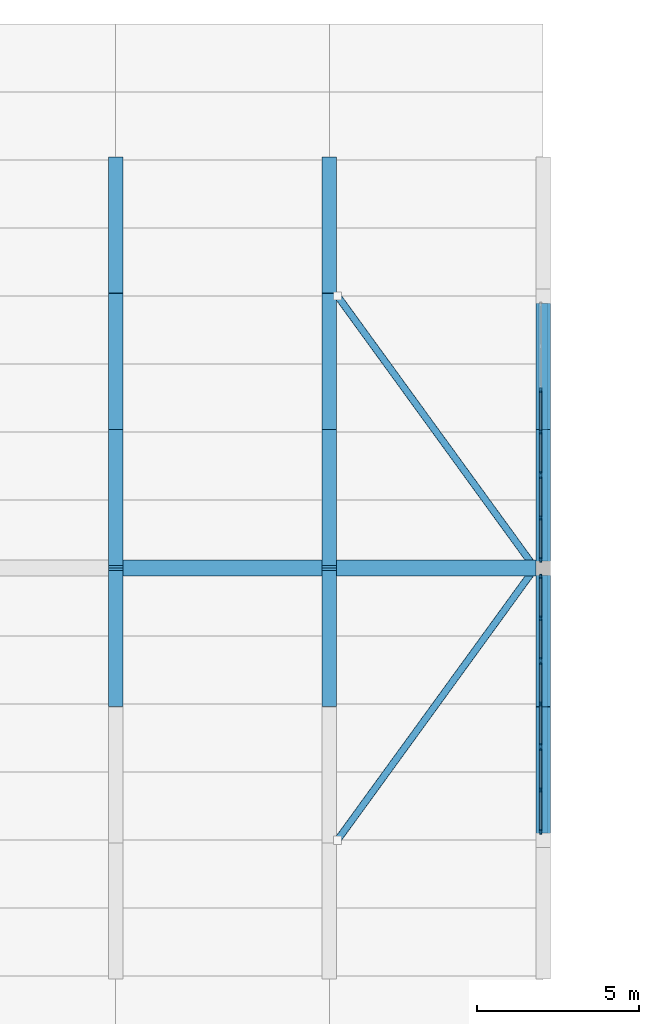
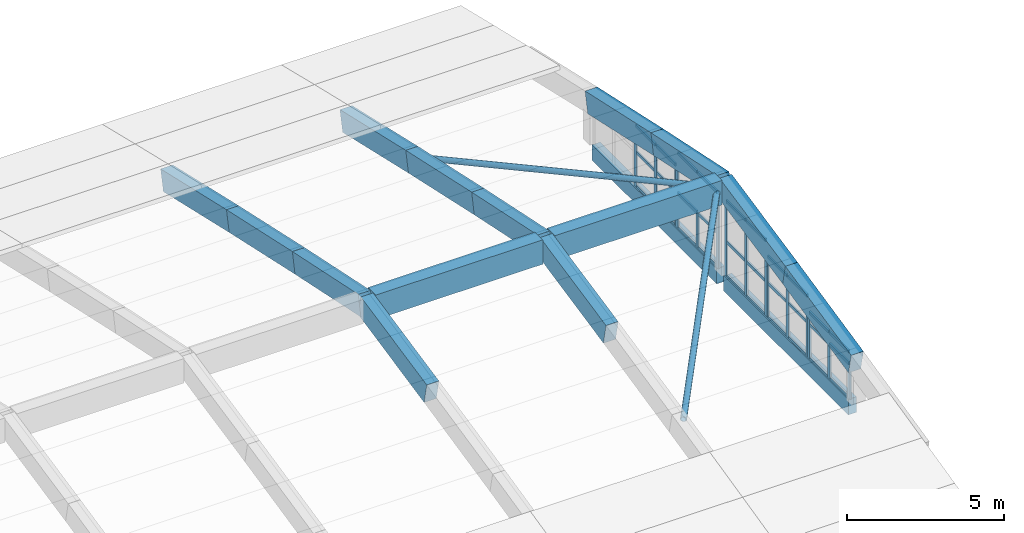
# One storey, part 6 of 47: 47 members, 16 beams, 5 elements without a shape of their own.
"""IFC4 building model written with IfcOpenShell, lengths in metres."""

from ifc_helpers import new_model, si_unit, direction, frame, origin, origin_2d, place, context, subcontext, project, spatial, rectangle, hollow_circle, extrude, material, material_profile, profile_set, type_object, element, aggregate, save


model = new_model("IFC4")

# Units and contexts
model_context = context("Model", 3, precision=1e-05, world=origin(), true_north=direction((0.0, 1.0)))
body_context = subcontext(model_context, "Body", "Model", "MODEL_VIEW")
ifc_project = project(units=[si_unit("LENGTHUNIT", "METRE"), si_unit("AREAUNIT", "SQUARE_METRE"), si_unit("VOLUMEUNIT", "CUBIC_METRE"), si_unit("PLANEANGLEUNIT", "RADIAN"), si_unit("MASSUNIT", "GRAM", prefix="KILO")], contexts=[model_context])

# Site, building, storey
site_placement = place(None, origin())
site = spatial("IfcSite", under=ifc_project, at=site_placement, CompositionType="ELEMENT")
building_placement = place(site_placement, origin())
building = spatial("IfcBuilding", under=site, at=building_placement, Name="Qaldarim Faculty of Natural and Applied Sciences", CompositionType="ELEMENT")
storey_placement = place(building_placement, frame((0.0, 0.0, 22.800048828125)))
storey = spatial("IfcBuildingStorey", under=building, at=storey_placement, Name="L05", CompositionType="ELEMENT", Elevation=22.800048828125)

# Curtain wall, members
ifc_material_1 = material(Name="Anodised aluminium AW-6063", Category="aluminium")
curtain_wall_type = type_object("IfcCurtainWallType", Name="CurtainWallSystem-M1500", PredefinedType="USERDEFINED", material=ifc_material_1)
curtain_wall_1_placement = place(storey_placement, origin())
curtain_wall_1 = element("IfcCurtainWall", 1, at=curtain_wall_1_placement, inside=storey, type_object=curtain_wall_type, Name="Curtain wall CW-GABLE-L05-E-Y06-1", ObjectType="STICK CURTAIN WALL", PredefinedType="USERDEFINED")
ifc_material_profile_1 = material_profile(ifc_material_1, rectangle(XDim=0.06005859375, YDim=0.14990234375, at=origin_2d()), Name="ALU-M60x150")
ifc_profile_set_1 = profile_set([ifc_material_profile_1], Name="Anodised aluminium AW-6063")
member_type_1 = type_object("IfcMemberType", Name="Mullion-ALU60x150", PredefinedType="MULLION", material=ifc_profile_set_1)
member_1_placement = place(storey_placement, frame((46.1201171875, 42.260009765625, 0.0), z_axis=(0.0, 0.0, 1.0), x_axis=(-1.0, 0.0, 0.0)))
member_1 = element("IfcMember", 2, at=member_1_placement, type_object=member_type_1, Name="Mullion 1 of CW-GABLE-L05-E-Y06-1", PredefinedType="MULLION", context=body_context, shape_type="SweptSolid", body=[
    extrude(rectangle(XDim=0.06005859375, YDim=0.14990234375, at=origin_2d()), origin(), (0.0, 0.0, 1.0), 1.829833984375),
])
member_2_placement = place(storey_placement, frame((46.1201171875, 43.547607421875, 0.0), z_axis=(0.0, 0.0, 1.0), x_axis=(-1.0, 0.0, 0.0)))
member_2 = element("IfcMember", 3, at=member_2_placement, type_object=member_type_1, Name="Mullion 2 of CW-GABLE-L05-E-Y06-1", PredefinedType="MULLION", context=body_context, shape_type="SweptSolid", body=[
    extrude(rectangle(XDim=0.06005859375, YDim=0.14990234375, at=origin_2d()), origin(), (0.0, 0.0, 1.0), 1.829833984375),
])
member_3_placement = place(storey_placement, frame((46.1201171875, 44.8349609375, 0.0), z_axis=(0.0, 0.0, 1.0), x_axis=(-1.0, 0.0, 0.0)))
member_3 = element("IfcMember", 4, at=member_3_placement, type_object=member_type_1, Name="Mullion 3 of CW-GABLE-L05-E-Y06-1", PredefinedType="MULLION", context=body_context, shape_type="SweptSolid", body=[
    extrude(rectangle(XDim=0.06005859375, YDim=0.14990234375, at=origin_2d()), origin(), (0.0, 0.0, 1.0), 1.829833984375),
])

curtain_wall_2_placement = place(storey_placement, origin())
curtain_wall_2 = element("IfcCurtainWall", 5, at=curtain_wall_2_placement, inside=storey, type_object=curtain_wall_type, Name="Curtain wall CW-GABLE-L05-E-Y06-2", ObjectType="STICK CURTAIN WALL", PredefinedType="USERDEFINED")
member_4_placement = place(storey_placement, frame((46.1201171875, 44.9150390625, 0.0), z_axis=(0.0, 0.0, 1.0), x_axis=(-1.0, 0.0, 0.0)))
member_4 = element("IfcMember", 6, at=member_4_placement, type_object=member_type_1, Name="Mullion 1 of CW-GABLE-L05-E-Y06-2", PredefinedType="MULLION", context=body_context, shape_type="SweptSolid", body=[
    extrude(rectangle(XDim=0.06005859375, YDim=0.14990234375, at=origin_2d()), origin(), (0.0, 0.0, 1.0), 2.39990234375),
])
member_5_placement = place(storey_placement, frame((46.1201171875, 46.202392578125, 0.0), z_axis=(0.0, 0.0, 1.0), x_axis=(-1.0, 0.0, 0.0)))
member_5 = element("IfcMember", 7, at=member_5_placement, type_object=member_type_1, Name="Mullion 2 of CW-GABLE-L05-E-Y06-2", PredefinedType="MULLION", context=body_context, shape_type="SweptSolid", body=[
    extrude(rectangle(XDim=0.06005859375, YDim=0.14990234375, at=origin_2d()), origin(), (0.0, 0.0, 1.0), 2.39990234375),
])
member_6_placement = place(storey_placement, frame((46.1201171875, 47.489990234375, 0.0), z_axis=(0.0, 0.0, 1.0), x_axis=(-1.0, 0.0, 0.0)))
member_6 = element("IfcMember", 8, at=member_6_placement, type_object=member_type_1, Name="Mullion 3 of CW-GABLE-L05-E-Y06-2", PredefinedType="MULLION", context=body_context, shape_type="SweptSolid", body=[
    extrude(rectangle(XDim=0.06005859375, YDim=0.14990234375, at=origin_2d()), origin(), (0.0, 0.0, 1.0), 2.39990234375),
])

curtain_wall_3_placement = place(storey_placement, origin())
curtain_wall_3 = element("IfcCurtainWall", 9, at=curtain_wall_3_placement, inside=storey, type_object=curtain_wall_type, Name="Curtain wall CW-GABLE-L05-E-Y06-3", ObjectType="STICK CURTAIN WALL", PredefinedType="USERDEFINED")
member_7_placement = place(storey_placement, frame((46.1201171875, 47.56494140625, 0.0), z_axis=(0.0, 0.0, 1.0), x_axis=(-1.0, 0.0, 0.0)))
member_7 = element("IfcMember", 10, at=member_7_placement, type_object=member_type_1, Name="Mullion 1 of CW-GABLE-L05-E-Y06-3", PredefinedType="MULLION", context=body_context, shape_type="SweptSolid", body=[
    extrude(rectangle(XDim=0.06005859375, YDim=0.14990234375, at=origin_2d()), origin(), (0.0, 0.0, 1.0), 2.949951171875),
])
member_8_placement = place(storey_placement, frame((46.1201171875, 48.8525390625, 0.0), z_axis=(0.0, 0.0, 1.0), x_axis=(-1.0, 0.0, 0.0)))
member_8 = element("IfcMember", 11, at=member_8_placement, type_object=member_type_1, Name="Mullion 2 of CW-GABLE-L05-E-Y06-3", PredefinedType="MULLION", context=body_context, shape_type="SweptSolid", body=[
    extrude(rectangle(XDim=0.06005859375, YDim=0.14990234375, at=origin_2d()), origin(), (0.0, 0.0, 1.0), 2.949951171875),
])
member_9_placement = place(storey_placement, frame((46.1201171875, 50.139892578125, 0.0), z_axis=(0.0, 0.0, 1.0), x_axis=(-1.0, 0.0, 0.0)))
member_9 = element("IfcMember", 12, at=member_9_placement, type_object=member_type_1, Name="Mullion 3 of CW-GABLE-L05-E-Y06-3", PredefinedType="MULLION", context=body_context, shape_type="SweptSolid", body=[
    extrude(rectangle(XDim=0.06005859375, YDim=0.14990234375, at=origin_2d()), origin(), (0.0, 0.0, 1.0), 2.949951171875),
])

curtain_wall_4_placement = place(storey_placement, origin())
curtain_wall_4 = element("IfcCurtainWall", 13, at=curtain_wall_4_placement, inside=storey, type_object=curtain_wall_type, Name="Curtain wall CW-GABLE-L05-E-Y07-1", ObjectType="STICK CURTAIN WALL", PredefinedType="USERDEFINED")
member_10_placement = place(storey_placement, frame((46.1201171875, 50.659912109375, 0.0), z_axis=(0.0, 0.0, 1.0), x_axis=(-1.0, 0.0, 0.0)))
member_10 = element("IfcMember", 14, at=member_10_placement, type_object=member_type_1, Name="Mullion 1 of CW-GABLE-L05-E-Y07-1", PredefinedType="MULLION", context=body_context, shape_type="SweptSolid", body=[
    extrude(rectangle(XDim=0.06005859375, YDim=0.14990234375, at=origin_2d()), origin(), (0.0, 0.0, 1.0), 2.949951171875),
])
member_11_placement = place(storey_placement, frame((46.1201171875, 51.947509765625, 0.0), z_axis=(0.0, 0.0, 1.0), x_axis=(-1.0, 0.0, 0.0)))
member_11 = element("IfcMember", 15, at=member_11_placement, type_object=member_type_1, Name="Mullion 2 of CW-GABLE-L05-E-Y07-1", PredefinedType="MULLION", context=body_context, shape_type="SweptSolid", body=[
    extrude(rectangle(XDim=0.06005859375, YDim=0.14990234375, at=origin_2d()), origin(), (0.0, 0.0, 1.0), 2.949951171875),
])
member_12_placement = place(storey_placement, frame((46.1201171875, 53.235107421875, 0.0), z_axis=(0.0, 0.0, 1.0), x_axis=(-1.0, 0.0, 0.0)))
member_12 = element("IfcMember", 16, at=member_12_placement, type_object=member_type_1, Name="Mullion 3 of CW-GABLE-L05-E-Y07-1", PredefinedType="MULLION", context=body_context, shape_type="SweptSolid", body=[
    extrude(rectangle(XDim=0.06005859375, YDim=0.14990234375, at=origin_2d()), origin(), (0.0, 0.0, 1.0), 2.949951171875),
])

curtain_wall_5_placement = place(storey_placement, origin())
curtain_wall_5 = element("IfcCurtainWall", 17, at=curtain_wall_5_placement, inside=storey, type_object=curtain_wall_type, Name="Curtain wall CW-GABLE-L05-E-Y07-2", ObjectType="STICK CURTAIN WALL", PredefinedType="USERDEFINED")
member_13_placement = place(storey_placement, frame((46.1201171875, 53.31494140625, 0.0), z_axis=(0.0, 0.0, 1.0), x_axis=(-1.0, 0.0, 0.0)))
member_13 = element("IfcMember", 18, at=member_13_placement, type_object=member_type_1, Name="Mullion 1 of CW-GABLE-L05-E-Y07-2", PredefinedType="MULLION", context=body_context, shape_type="SweptSolid", body=[
    extrude(rectangle(XDim=0.06005859375, YDim=0.14990234375, at=origin_2d()), origin(), (0.0, 0.0, 1.0), 2.39990234375),
])
member_14_placement = place(storey_placement, frame((46.1201171875, 54.6025390625, 0.0), z_axis=(0.0, 0.0, 1.0), x_axis=(-1.0, 0.0, 0.0)))
member_14 = element("IfcMember", 19, at=member_14_placement, type_object=member_type_1, Name="Mullion 2 of CW-GABLE-L05-E-Y07-2", PredefinedType="MULLION", context=body_context, shape_type="SweptSolid", body=[
    extrude(rectangle(XDim=0.06005859375, YDim=0.14990234375, at=origin_2d()), origin(), (0.0, 0.0, 1.0), 2.39990234375),
])
member_15_placement = place(storey_placement, frame((46.1201171875, 55.889892578125, 0.0), z_axis=(0.0, 0.0, 1.0), x_axis=(-1.0, 0.0, 0.0)))
member_15 = element("IfcMember", 20, at=member_15_placement, type_object=member_type_1, Name="Mullion 3 of CW-GABLE-L05-E-Y07-2", PredefinedType="MULLION", context=body_context, shape_type="SweptSolid", body=[
    extrude(rectangle(XDim=0.06005859375, YDim=0.14990234375, at=origin_2d()), origin(), (0.0, 0.0, 1.0), 2.39990234375),
])

# Beams
ifc_material_2 = material(Name="Concrete C50/60", Category="concrete")
ifc_material_profile_2 = material_profile(ifc_material_2, rectangle(XDim=0.449951171875, YDim=0.800048828125, at=origin_2d()), Name="RC-RIB450x800")
ifc_profile_set_2 = profile_set([ifc_material_profile_2], Name="Concrete C50/60")
beam_type_1 = type_object("IfcBeamType", Name="ShellArchRib-RC450x800", PredefinedType="BEAM", material=ifc_profile_set_2)
beam_1_placement = place(storey_placement, frame((33.0, 46.199951171875, 2.4599609375), z_axis=(0.0, 0.978752138035, 0.205046951432), x_axis=(-1.0, 0.0, 0.0)))
element("IfcBeam", 21, at=beam_1_placement, inside=storey, type_object=beam_type_1, Name="Shell arch rib 6 S segment 8", PredefinedType="BEAM", context=body_context, shape_type="SweptSolid", body=[
    extrude(rectangle(XDim=0.449951171875, YDim=0.800048828125, at=origin_2d()), origin(), (0.0, 0.0, 1.0), 4.291015625),
])
beam_2_placement = place(storey_placement, frame((33.0, 63.0, 0.579833984375), z_axis=(0.0, -0.974847602774, 0.222872500245), x_axis=(1.0, 0.0, 0.0)))
element("IfcBeam", 22, at=beam_2_placement, inside=storey, type_object=beam_type_1, Name="Shell arch rib 6 N segment 6", PredefinedType="BEAM", context=body_context, shape_type="SweptSolid", body=[
    extrude(rectangle(XDim=0.449951171875, YDim=0.800048828125, at=origin_2d()), origin(), (0.0, 0.0, 1.0), 4.308349609375),
])
beam_3_placement = place(storey_placement, frame((33.0, 58.800048828125, 1.5400390625), z_axis=(0.0, -0.976842563823, 0.213959354792), x_axis=(1.0, 0.0, 0.0)))
element("IfcBeam", 23, at=beam_3_placement, inside=storey, type_object=beam_type_1, Name="Shell arch rib 6 N segment 7", PredefinedType="BEAM", context=body_context, shape_type="SweptSolid", body=[
    extrude(rectangle(XDim=0.449951171875, YDim=0.800048828125, at=origin_2d()), origin(), (0.0, 0.0, 1.0), 4.299560546875),
])
beam_4_placement = place(storey_placement, frame((33.0, 54.60009765625, 2.4599609375), z_axis=(0.0, -0.978754529913, 0.205035533934), x_axis=(1.0, 0.0, 0.0)))
element("IfcBeam", 24, at=beam_4_placement, inside=storey, type_object=beam_type_1, Name="Shell arch rib 6 N segment 8", PredefinedType="BEAM", context=body_context, shape_type="SweptSolid", body=[
    extrude(rectangle(XDim=0.449951171875, YDim=0.800048828125, at=origin_2d()), origin(), (0.0, 0.0, 1.0), 4.291259765625),
])
beam_5_placement = place(storey_placement, frame((39.60009765625, 46.199951171875, 2.4599609375), z_axis=(0.0, 0.978752138035, 0.205046951432), x_axis=(-1.0, 0.0, 0.0)))
element("IfcBeam", 25, at=beam_5_placement, inside=storey, type_object=beam_type_1, Name="Shell arch rib 7 S segment 8", PredefinedType="BEAM", context=body_context, shape_type="SweptSolid", body=[
    extrude(rectangle(XDim=0.449951171875, YDim=0.800048828125, at=origin_2d()), origin(), (0.0, 0.0, 1.0), 4.291015625),
])
beam_6_placement = place(storey_placement, frame((39.60009765625, 63.0, 0.579833984375), z_axis=(0.0, -0.974847602774, 0.222872500245), x_axis=(1.0, 0.0, 0.0)))
element("IfcBeam", 26, at=beam_6_placement, inside=storey, type_object=beam_type_1, Name="Shell arch rib 7 N segment 6", PredefinedType="BEAM", context=body_context, shape_type="SweptSolid", body=[
    extrude(rectangle(XDim=0.449951171875, YDim=0.800048828125, at=origin_2d()), origin(), (0.0, 0.0, 1.0), 4.308349609375),
])
beam_7_placement = place(storey_placement, frame((39.60009765625, 58.800048828125, 1.5400390625), z_axis=(0.0, -0.976842563823, 0.213959354792), x_axis=(1.0, 0.0, 0.0)))
element("IfcBeam", 27, at=beam_7_placement, inside=storey, type_object=beam_type_1, Name="Shell arch rib 7 N segment 7", PredefinedType="BEAM", context=body_context, shape_type="SweptSolid", body=[
    extrude(rectangle(XDim=0.449951171875, YDim=0.800048828125, at=origin_2d()), origin(), (0.0, 0.0, 1.0), 4.299560546875),
])
beam_8_placement = place(storey_placement, frame((39.60009765625, 54.60009765625, 2.4599609375), z_axis=(0.0, -0.978754529913, 0.205035533934), x_axis=(1.0, 0.0, 0.0)))
element("IfcBeam", 28, at=beam_8_placement, inside=storey, type_object=beam_type_1, Name="Shell arch rib 7 N segment 8", PredefinedType="BEAM", context=body_context, shape_type="SweptSolid", body=[
    extrude(rectangle(XDim=0.449951171875, YDim=0.800048828125, at=origin_2d()), origin(), (0.0, 0.0, 1.0), 4.291259765625),
])
beam_9_placement = place(storey_placement, frame((46.199951171875, 42.0, 1.5400390625), z_axis=(0.0, 0.976842563823, 0.213959354792), x_axis=(-1.0, 0.0, 0.0)))
element("IfcBeam", 29, at=beam_9_placement, inside=storey, type_object=beam_type_1, Name="Shell arch rib 8 S segment 7", PredefinedType="BEAM", context=body_context, shape_type="SweptSolid", body=[
    extrude(rectangle(XDim=0.449951171875, YDim=0.800048828125, at=origin_2d()), origin(), (0.0, 0.0, 1.0), 4.299560546875),
])
beam_10_placement = place(storey_placement, frame((46.199951171875, 46.199951171875, 2.4599609375), z_axis=(0.0, 0.978752138035, 0.205046951432), x_axis=(-1.0, 0.0, 0.0)))
element("IfcBeam", 30, at=beam_10_placement, inside=storey, type_object=beam_type_1, Name="Shell arch rib 8 S segment 8", PredefinedType="BEAM", context=body_context, shape_type="SweptSolid", body=[
    extrude(rectangle(XDim=0.449951171875, YDim=0.800048828125, at=origin_2d()), origin(), (0.0, 0.0, 1.0), 4.291015625),
])
beam_11_placement = place(storey_placement, frame((46.199951171875, 58.800048828125, 1.5400390625), z_axis=(0.0, -0.976842563823, 0.213959354792), x_axis=(1.0, 0.0, 0.0)))
element("IfcBeam", 31, at=beam_11_placement, inside=storey, type_object=beam_type_1, Name="Shell arch rib 8 N segment 7", PredefinedType="BEAM", context=body_context, shape_type="SweptSolid", body=[
    extrude(rectangle(XDim=0.449951171875, YDim=0.800048828125, at=origin_2d()), origin(), (0.0, 0.0, 1.0), 4.299560546875),
])
beam_12_placement = place(storey_placement, frame((46.199951171875, 54.60009765625, 2.4599609375), z_axis=(0.0, -0.978754529913, 0.205035533934), x_axis=(1.0, 0.0, 0.0)))
element("IfcBeam", 32, at=beam_12_placement, inside=storey, type_object=beam_type_1, Name="Shell arch rib 8 N segment 8", PredefinedType="BEAM", context=body_context, shape_type="SweptSolid", body=[
    extrude(rectangle(XDim=0.449951171875, YDim=0.800048828125, at=origin_2d()), origin(), (0.0, 0.0, 1.0), 4.291259765625),
])
ifc_material_profile_3 = material_profile(ifc_material_2, rectangle(XDim=0.5, YDim=0.949951171875, at=origin_2d()), Name="RC-EB500x950")
ifc_profile_set_3 = profile_set([ifc_material_profile_3], Name="Concrete C50/60")
beam_type_2 = type_object("IfcBeamType", Name="ShellRidgeBeam-RC500x950", PredefinedType="BEAM", material=ifc_profile_set_3)
beam_13_placement = place(storey_placement, frame((33.22509765625, 50.39990234375, 3.27001953125), z_axis=(1.0, 0.0, 0.0), x_axis=(0.0, 1.0, 0.0)))
element("IfcBeam", 33, at=beam_13_placement, inside=storey, type_object=beam_type_2, Name="Shell crown ridge beam bay 6", PredefinedType="BEAM", context=body_context, shape_type="SweptSolid", body=[
    extrude(rectangle(XDim=0.5, YDim=0.949951171875, at=origin_2d()), origin(), (0.0, 0.0, 1.0), 6.14990234375),
])
beam_14_placement = place(storey_placement, frame((39.824951171875, 50.39990234375, 3.27001953125), z_axis=(1.0, 0.0, 0.0), x_axis=(0.0, 1.0, 0.0)))
element("IfcBeam", 34, at=beam_14_placement, inside=storey, type_object=beam_type_2, Name="Shell crown ridge beam bay 7", PredefinedType="BEAM", context=body_context, shape_type="SweptSolid", body=[
    extrude(rectangle(XDim=0.5, YDim=0.949951171875, at=origin_2d()), origin(), (0.0, 0.0, 1.0), 6.150146484375),
])

# Members
ifc_material_3 = material(Name="Structural steel S355", Category="steel")
ifc_material_profile_4 = material_profile(ifc_material_3, hollow_circle(Radius=0.109619140625, WallThickness=0.012451171875, at=origin_2d()), Name="CHS 219.1x12.5")
ifc_profile_set_4 = profile_set([ifc_material_profile_4], Name="Structural steel S355")
member_type_2 = type_object("IfcMemberType", Name="ShellStrut-CHS219x12-5", PredefinedType="STRUT", material=ifc_profile_set_4)
member_16_placement = place(storey_placement, frame((39.85009765625, 42.0, 1.5400390625), z_axis=(0.578957167529, 0.797262369661, 0.170825384792), x_axis=(-0.809155894574, 0.587594025052, 0.0)))
element("IfcMember", 35, at=member_16_placement, inside=storey, type_object=member_type_2, Name="Shell wind strut bay 7 S4", PredefinedType="STRUT", context=body_context, shape_type="SweptSolid", body=[
    extrude(hollow_circle(Radius=0.109619140625, WallThickness=0.012451171875, at=origin_2d()), origin(), (0.0, 0.0, 1.0), 10.535888671875),
])
member_17_placement = place(storey_placement, frame((39.85009765625, 58.800048828125, 1.5400390625), z_axis=(0.578946471832, -0.797270812741, 0.170822228951), x_axis=(0.809164014281, 0.587582843515, 0.0)))
element("IfcMember", 36, at=member_17_placement, inside=storey, type_object=member_type_2, Name="Shell wind strut bay 7 N4", PredefinedType="STRUT", context=body_context, shape_type="SweptSolid", body=[
    extrude(hollow_circle(Radius=0.109619140625, WallThickness=0.012451171875, at=origin_2d()), origin(), (0.0, 0.0, 1.0), 10.5361328125),
])

# Beams
ifc_material_4 = material(Name="Precast concrete C40/50", Category="concrete")
ifc_material_profile_5 = material_profile(ifc_material_4, rectangle(XDim=0.300048828125, YDim=0.60009765625, at=origin_2d()), Name="RC-SP300x600")
ifc_profile_set_5 = profile_set([ifc_material_profile_5], Name="Precast concrete C40/50")
beam_type_3 = type_object("IfcBeamType", Name="SpandrelBeam-RC300x600", PredefinedType="SPANDREL", material=ifc_profile_set_5)
for number, where, z_axis, x_axis, name in (
    (37, (46.199951171875, 42.22509765625, -0.300048828125), (0.0, 1.0, 0.0), (-1.0, 0.0, 0.0), "Shell crown gable tie beam X08/Y06"),
    (38, (46.199951171875, 50.625, -0.300048828125), (0.0, 1.0, 0.0), (-1.0, 0.0, 0.0), "Shell crown gable tie beam X08/Y07"),
):
    element("IfcBeam", number, at=place(storey_placement, frame(where, z_axis=z_axis, x_axis=x_axis)), inside=storey, type_object=beam_type_3, Name=name, PredefinedType="SPANDREL", context=body_context, shape_type="SweptSolid", body=[
        extrude(rectangle(XDim=0.300048828125, YDim=0.60009765625, at=origin_2d()), origin(), (0.0, 0.0, 1.0), 7.949951171875),
    ])

# Member
ifc_material_profile_6 = material_profile(ifc_material_1, rectangle(XDim=0.06005859375, YDim=0.1201171875, at=origin_2d()), Name="ALU-T60x120")
ifc_profile_set_6 = profile_set([ifc_material_profile_6], Name="Anodised aluminium AW-6063")
member_type_3 = type_object("IfcMemberType", Name="Transom-ALU60x120", PredefinedType="USERDEFINED", material=ifc_profile_set_6)
member_18_placement = place(storey_placement, frame((46.1201171875, 42.2900390625, 0.030029296875), z_axis=(0.0, 1.0, 0.0), x_axis=(-1.0, 0.0, 0.0)))
member_18 = element("IfcMember", 39, at=member_18_placement, type_object=member_type_3, Name="Transom 1-1 of CW-GABLE-L05-E-Y06-1", ObjectType="TRANSOM", PredefinedType="USERDEFINED", context=body_context, shape_type="SweptSolid", body=[
    extrude(rectangle(XDim=0.06005859375, YDim=0.1201171875, at=origin_2d()), origin(), (0.0, 0.0, 1.0), 1.2275390625),
])

member_19_placement = place(storey_placement, frame((46.1201171875, 42.2900390625, 1.349853515625), z_axis=(0.0, 1.0, 0.0), x_axis=(-1.0, 0.0, 0.0)))
member_19 = element("IfcMember", 40, at=member_19_placement, type_object=member_type_3, Name="Transom 1-2 of CW-GABLE-L05-E-Y06-1", ObjectType="TRANSOM", PredefinedType="USERDEFINED", context=body_context, shape_type="SweptSolid", body=[
    extrude(rectangle(XDim=0.06005859375, YDim=0.1201171875, at=origin_2d()), origin(), (0.0, 0.0, 1.0), 1.2275390625),
])

member_20_placement = place(storey_placement, frame((46.1201171875, 42.2900390625, 1.800048828125), z_axis=(0.0, 1.0, 0.0), x_axis=(-1.0, 0.0, 0.0)))
member_20 = element("IfcMember", 41, at=member_20_placement, type_object=member_type_3, Name="Transom 1-3 of CW-GABLE-L05-E-Y06-1", ObjectType="TRANSOM", PredefinedType="USERDEFINED", context=body_context, shape_type="SweptSolid", body=[
    extrude(rectangle(XDim=0.06005859375, YDim=0.1201171875, at=origin_2d()), origin(), (0.0, 0.0, 1.0), 1.2275390625),
])

member_21_placement = place(storey_placement, frame((46.1201171875, 43.577392578125, 0.030029296875), z_axis=(0.0, 1.0, 0.0), x_axis=(-1.0, 0.0, 0.0)))
member_21 = element("IfcMember", 42, at=member_21_placement, type_object=member_type_3, Name="Transom 2-1 of CW-GABLE-L05-E-Y06-1", ObjectType="TRANSOM", PredefinedType="USERDEFINED", context=body_context, shape_type="SweptSolid", body=[
    extrude(rectangle(XDim=0.06005859375, YDim=0.1201171875, at=origin_2d()), origin(), (0.0, 0.0, 1.0), 1.2275390625),
])

member_22_placement = place(storey_placement, frame((46.1201171875, 43.577392578125, 1.349853515625), z_axis=(0.0, 1.0, 0.0), x_axis=(-1.0, 0.0, 0.0)))
member_22 = element("IfcMember", 43, at=member_22_placement, type_object=member_type_3, Name="Transom 2-2 of CW-GABLE-L05-E-Y06-1", ObjectType="TRANSOM", PredefinedType="USERDEFINED", context=body_context, shape_type="SweptSolid", body=[
    extrude(rectangle(XDim=0.06005859375, YDim=0.1201171875, at=origin_2d()), origin(), (0.0, 0.0, 1.0), 1.2275390625),
])

member_23_placement = place(storey_placement, frame((46.1201171875, 43.577392578125, 1.800048828125), z_axis=(0.0, 1.0, 0.0), x_axis=(-1.0, 0.0, 0.0)))
member_23 = element("IfcMember", 44, at=member_23_placement, type_object=member_type_3, Name="Transom 2-3 of CW-GABLE-L05-E-Y06-1", ObjectType="TRANSOM", PredefinedType="USERDEFINED", context=body_context, shape_type="SweptSolid", body=[
    extrude(rectangle(XDim=0.06005859375, YDim=0.1201171875, at=origin_2d()), origin(), (0.0, 0.0, 1.0), 1.2275390625),
])

aggregate(curtain_wall_1, [member_1, member_2, member_3, member_18, member_19, member_20, member_21, member_22, member_23])

member_24_placement = place(storey_placement, frame((46.1201171875, 44.945068359375, 0.030029296875), z_axis=(0.0, 1.0, 0.0), x_axis=(-1.0, 0.0, 0.0)))
member_24 = element("IfcMember", 45, at=member_24_placement, type_object=member_type_3, Name="Transom 1-1 of CW-GABLE-L05-E-Y06-2", ObjectType="TRANSOM", PredefinedType="USERDEFINED", context=body_context, shape_type="SweptSolid", body=[
    extrude(rectangle(XDim=0.06005859375, YDim=0.1201171875, at=origin_2d()), origin(), (0.0, 0.0, 1.0), 1.2275390625),
])

member_25_placement = place(storey_placement, frame((46.1201171875, 44.945068359375, 1.349853515625), z_axis=(0.0, 1.0, 0.0), x_axis=(-1.0, 0.0, 0.0)))
member_25 = element("IfcMember", 46, at=member_25_placement, type_object=member_type_3, Name="Transom 1-2 of CW-GABLE-L05-E-Y06-2", ObjectType="TRANSOM", PredefinedType="USERDEFINED", context=body_context, shape_type="SweptSolid", body=[
    extrude(rectangle(XDim=0.06005859375, YDim=0.1201171875, at=origin_2d()), origin(), (0.0, 0.0, 1.0), 1.2275390625),
])

member_26_placement = place(storey_placement, frame((46.1201171875, 44.945068359375, 2.369873046875), z_axis=(0.0, 1.0, 0.0), x_axis=(-1.0, 0.0, 0.0)))
member_26 = element("IfcMember", 47, at=member_26_placement, type_object=member_type_3, Name="Transom 1-3 of CW-GABLE-L05-E-Y06-2", ObjectType="TRANSOM", PredefinedType="USERDEFINED", context=body_context, shape_type="SweptSolid", body=[
    extrude(rectangle(XDim=0.06005859375, YDim=0.1201171875, at=origin_2d()), origin(), (0.0, 0.0, 1.0), 1.2275390625),
])

member_27_placement = place(storey_placement, frame((46.1201171875, 46.232421875, 0.030029296875), z_axis=(0.0, 1.0, 0.0), x_axis=(-1.0, 0.0, 0.0)))
member_27 = element("IfcMember", 48, at=member_27_placement, type_object=member_type_3, Name="Transom 2-1 of CW-GABLE-L05-E-Y06-2", ObjectType="TRANSOM", PredefinedType="USERDEFINED", context=body_context, shape_type="SweptSolid", body=[
    extrude(rectangle(XDim=0.06005859375, YDim=0.1201171875, at=origin_2d()), origin(), (0.0, 0.0, 1.0), 1.2275390625),
])

member_28_placement = place(storey_placement, frame((46.1201171875, 46.232421875, 1.349853515625), z_axis=(0.0, 1.0, 0.0), x_axis=(-1.0, 0.0, 0.0)))
member_28 = element("IfcMember", 49, at=member_28_placement, type_object=member_type_3, Name="Transom 2-2 of CW-GABLE-L05-E-Y06-2", ObjectType="TRANSOM", PredefinedType="USERDEFINED", context=body_context, shape_type="SweptSolid", body=[
    extrude(rectangle(XDim=0.06005859375, YDim=0.1201171875, at=origin_2d()), origin(), (0.0, 0.0, 1.0), 1.2275390625),
])

member_29_placement = place(storey_placement, frame((46.1201171875, 46.232421875, 2.369873046875), z_axis=(0.0, 1.0, 0.0), x_axis=(-1.0, 0.0, 0.0)))
member_29 = element("IfcMember", 50, at=member_29_placement, type_object=member_type_3, Name="Transom 2-3 of CW-GABLE-L05-E-Y06-2", ObjectType="TRANSOM", PredefinedType="USERDEFINED", context=body_context, shape_type="SweptSolid", body=[
    extrude(rectangle(XDim=0.06005859375, YDim=0.1201171875, at=origin_2d()), origin(), (0.0, 0.0, 1.0), 1.2275390625),
])

aggregate(curtain_wall_2, [member_4, member_5, member_6, member_24, member_25, member_26, member_27, member_28, member_29])

member_30_placement = place(storey_placement, frame((46.1201171875, 47.594970703125, 0.030029296875), z_axis=(0.0, 1.0, 0.0), x_axis=(-1.0, 0.0, 0.0)))
member_30 = element("IfcMember", 51, at=member_30_placement, type_object=member_type_3, Name="Transom 1-1 of CW-GABLE-L05-E-Y06-3", ObjectType="TRANSOM", PredefinedType="USERDEFINED", context=body_context, shape_type="SweptSolid", body=[
    extrude(rectangle(XDim=0.06005859375, YDim=0.1201171875, at=origin_2d()), origin(), (0.0, 0.0, 1.0), 1.2275390625),
])

member_31_placement = place(storey_placement, frame((46.1201171875, 47.594970703125, 1.349853515625), z_axis=(0.0, 1.0, 0.0), x_axis=(-1.0, 0.0, 0.0)))
member_31 = element("IfcMember", 52, at=member_31_placement, type_object=member_type_3, Name="Transom 1-2 of CW-GABLE-L05-E-Y06-3", ObjectType="TRANSOM", PredefinedType="USERDEFINED", context=body_context, shape_type="SweptSolid", body=[
    extrude(rectangle(XDim=0.06005859375, YDim=0.1201171875, at=origin_2d()), origin(), (0.0, 0.0, 1.0), 1.2275390625),
])

member_32_placement = place(storey_placement, frame((46.1201171875, 47.594970703125, 2.919921875), z_axis=(0.0, 1.0, 0.0), x_axis=(-1.0, 0.0, 0.0)))
member_32 = element("IfcMember", 53, at=member_32_placement, type_object=member_type_3, Name="Transom 1-3 of CW-GABLE-L05-E-Y06-3", ObjectType="TRANSOM", PredefinedType="USERDEFINED", context=body_context, shape_type="SweptSolid", body=[
    extrude(rectangle(XDim=0.06005859375, YDim=0.1201171875, at=origin_2d()), origin(), (0.0, 0.0, 1.0), 1.2275390625),
])

member_33_placement = place(storey_placement, frame((46.1201171875, 48.882568359375, 0.030029296875), z_axis=(0.0, 1.0, 0.0), x_axis=(-1.0, 0.0, 0.0)))
member_33 = element("IfcMember", 54, at=member_33_placement, type_object=member_type_3, Name="Transom 2-1 of CW-GABLE-L05-E-Y06-3", ObjectType="TRANSOM", PredefinedType="USERDEFINED", context=body_context, shape_type="SweptSolid", body=[
    extrude(rectangle(XDim=0.06005859375, YDim=0.1201171875, at=origin_2d()), origin(), (0.0, 0.0, 1.0), 1.2275390625),
])

member_34_placement = place(storey_placement, frame((46.1201171875, 48.882568359375, 1.349853515625), z_axis=(0.0, 1.0, 0.0), x_axis=(-1.0, 0.0, 0.0)))
member_34 = element("IfcMember", 55, at=member_34_placement, type_object=member_type_3, Name="Transom 2-2 of CW-GABLE-L05-E-Y06-3", ObjectType="TRANSOM", PredefinedType="USERDEFINED", context=body_context, shape_type="SweptSolid", body=[
    extrude(rectangle(XDim=0.06005859375, YDim=0.1201171875, at=origin_2d()), origin(), (0.0, 0.0, 1.0), 1.2275390625),
])

member_35_placement = place(storey_placement, frame((46.1201171875, 48.882568359375, 2.919921875), z_axis=(0.0, 1.0, 0.0), x_axis=(-1.0, 0.0, 0.0)))
member_35 = element("IfcMember", 56, at=member_35_placement, type_object=member_type_3, Name="Transom 2-3 of CW-GABLE-L05-E-Y06-3", ObjectType="TRANSOM", PredefinedType="USERDEFINED", context=body_context, shape_type="SweptSolid", body=[
    extrude(rectangle(XDim=0.06005859375, YDim=0.1201171875, at=origin_2d()), origin(), (0.0, 0.0, 1.0), 1.2275390625),
])

aggregate(curtain_wall_3, [member_7, member_8, member_9, member_30, member_31, member_32, member_33, member_34, member_35])

member_36_placement = place(storey_placement, frame((46.1201171875, 50.68994140625, 0.030029296875), z_axis=(0.0, 1.0, 0.0), x_axis=(-1.0, 0.0, 0.0)))
member_36 = element("IfcMember", 57, at=member_36_placement, type_object=member_type_3, Name="Transom 1-1 of CW-GABLE-L05-E-Y07-1", ObjectType="TRANSOM", PredefinedType="USERDEFINED", context=body_context, shape_type="SweptSolid", body=[
    extrude(rectangle(XDim=0.06005859375, YDim=0.1201171875, at=origin_2d()), origin(), (0.0, 0.0, 1.0), 1.2275390625),
])

member_37_placement = place(storey_placement, frame((46.1201171875, 50.68994140625, 1.349853515625), z_axis=(0.0, 1.0, 0.0), x_axis=(-1.0, 0.0, 0.0)))
member_37 = element("IfcMember", 58, at=member_37_placement, type_object=member_type_3, Name="Transom 1-2 of CW-GABLE-L05-E-Y07-1", ObjectType="TRANSOM", PredefinedType="USERDEFINED", context=body_context, shape_type="SweptSolid", body=[
    extrude(rectangle(XDim=0.06005859375, YDim=0.1201171875, at=origin_2d()), origin(), (0.0, 0.0, 1.0), 1.2275390625),
])

member_38_placement = place(storey_placement, frame((46.1201171875, 50.68994140625, 2.919921875), z_axis=(0.0, 1.0, 0.0), x_axis=(-1.0, 0.0, 0.0)))
member_38 = element("IfcMember", 59, at=member_38_placement, type_object=member_type_3, Name="Transom 1-3 of CW-GABLE-L05-E-Y07-1", ObjectType="TRANSOM", PredefinedType="USERDEFINED", context=body_context, shape_type="SweptSolid", body=[
    extrude(rectangle(XDim=0.06005859375, YDim=0.1201171875, at=origin_2d()), origin(), (0.0, 0.0, 1.0), 1.2275390625),
])

member_39_placement = place(storey_placement, frame((46.1201171875, 51.9775390625, 0.030029296875), z_axis=(0.0, 1.0, 0.0), x_axis=(-1.0, 0.0, 0.0)))
member_39 = element("IfcMember", 60, at=member_39_placement, type_object=member_type_3, Name="Transom 2-1 of CW-GABLE-L05-E-Y07-1", ObjectType="TRANSOM", PredefinedType="USERDEFINED", context=body_context, shape_type="SweptSolid", body=[
    extrude(rectangle(XDim=0.06005859375, YDim=0.1201171875, at=origin_2d()), origin(), (0.0, 0.0, 1.0), 1.2275390625),
])

member_40_placement = place(storey_placement, frame((46.1201171875, 51.9775390625, 1.349853515625), z_axis=(0.0, 1.0, 0.0), x_axis=(-1.0, 0.0, 0.0)))
member_40 = element("IfcMember", 61, at=member_40_placement, type_object=member_type_3, Name="Transom 2-2 of CW-GABLE-L05-E-Y07-1", ObjectType="TRANSOM", PredefinedType="USERDEFINED", context=body_context, shape_type="SweptSolid", body=[
    extrude(rectangle(XDim=0.06005859375, YDim=0.1201171875, at=origin_2d()), origin(), (0.0, 0.0, 1.0), 1.2275390625),
])

member_41_placement = place(storey_placement, frame((46.1201171875, 51.9775390625, 2.919921875), z_axis=(0.0, 1.0, 0.0), x_axis=(-1.0, 0.0, 0.0)))
member_41 = element("IfcMember", 62, at=member_41_placement, type_object=member_type_3, Name="Transom 2-3 of CW-GABLE-L05-E-Y07-1", ObjectType="TRANSOM", PredefinedType="USERDEFINED", context=body_context, shape_type="SweptSolid", body=[
    extrude(rectangle(XDim=0.06005859375, YDim=0.1201171875, at=origin_2d()), origin(), (0.0, 0.0, 1.0), 1.2275390625),
])

aggregate(curtain_wall_4, [member_10, member_11, member_12, member_36, member_37, member_38, member_39, member_40, member_41])

member_42_placement = place(storey_placement, frame((46.1201171875, 53.344970703125, 0.030029296875), z_axis=(0.0, 1.0, 0.0), x_axis=(-1.0, 0.0, 0.0)))
member_42 = element("IfcMember", 63, at=member_42_placement, type_object=member_type_3, Name="Transom 1-1 of CW-GABLE-L05-E-Y07-2", ObjectType="TRANSOM", PredefinedType="USERDEFINED", context=body_context, shape_type="SweptSolid", body=[
    extrude(rectangle(XDim=0.06005859375, YDim=0.1201171875, at=origin_2d()), origin(), (0.0, 0.0, 1.0), 1.2275390625),
])

member_43_placement = place(storey_placement, frame((46.1201171875, 53.344970703125, 1.349853515625), z_axis=(0.0, 1.0, 0.0), x_axis=(-1.0, 0.0, 0.0)))
member_43 = element("IfcMember", 64, at=member_43_placement, type_object=member_type_3, Name="Transom 1-2 of CW-GABLE-L05-E-Y07-2", ObjectType="TRANSOM", PredefinedType="USERDEFINED", context=body_context, shape_type="SweptSolid", body=[
    extrude(rectangle(XDim=0.06005859375, YDim=0.1201171875, at=origin_2d()), origin(), (0.0, 0.0, 1.0), 1.2275390625),
])

member_44_placement = place(storey_placement, frame((46.1201171875, 53.344970703125, 2.369873046875), z_axis=(0.0, 1.0, 0.0), x_axis=(-1.0, 0.0, 0.0)))
member_44 = element("IfcMember", 65, at=member_44_placement, type_object=member_type_3, Name="Transom 1-3 of CW-GABLE-L05-E-Y07-2", ObjectType="TRANSOM", PredefinedType="USERDEFINED", context=body_context, shape_type="SweptSolid", body=[
    extrude(rectangle(XDim=0.06005859375, YDim=0.1201171875, at=origin_2d()), origin(), (0.0, 0.0, 1.0), 1.2275390625),
])

member_45_placement = place(storey_placement, frame((46.1201171875, 54.632568359375, 0.030029296875), z_axis=(0.0, 1.0, 0.0), x_axis=(-1.0, 0.0, 0.0)))
member_45 = element("IfcMember", 66, at=member_45_placement, type_object=member_type_3, Name="Transom 2-1 of CW-GABLE-L05-E-Y07-2", ObjectType="TRANSOM", PredefinedType="USERDEFINED", context=body_context, shape_type="SweptSolid", body=[
    extrude(rectangle(XDim=0.06005859375, YDim=0.1201171875, at=origin_2d()), origin(), (0.0, 0.0, 1.0), 1.2275390625),
])

member_46_placement = place(storey_placement, frame((46.1201171875, 54.632568359375, 1.349853515625), z_axis=(0.0, 1.0, 0.0), x_axis=(-1.0, 0.0, 0.0)))
member_46 = element("IfcMember", 67, at=member_46_placement, type_object=member_type_3, Name="Transom 2-2 of CW-GABLE-L05-E-Y07-2", ObjectType="TRANSOM", PredefinedType="USERDEFINED", context=body_context, shape_type="SweptSolid", body=[
    extrude(rectangle(XDim=0.06005859375, YDim=0.1201171875, at=origin_2d()), origin(), (0.0, 0.0, 1.0), 1.2275390625),
])

member_47_placement = place(storey_placement, frame((46.1201171875, 54.632568359375, 2.369873046875), z_axis=(0.0, 1.0, 0.0), x_axis=(-1.0, 0.0, 0.0)))
member_47 = element("IfcMember", 68, at=member_47_placement, type_object=member_type_3, Name="Transom 2-3 of CW-GABLE-L05-E-Y07-2", ObjectType="TRANSOM", PredefinedType="USERDEFINED", context=body_context, shape_type="SweptSolid", body=[
    extrude(rectangle(XDim=0.06005859375, YDim=0.1201171875, at=origin_2d()), origin(), (0.0, 0.0, 1.0), 1.2275390625),
])

aggregate(curtain_wall_5, [member_13, member_14, member_15, member_42, member_43, member_44, member_45, member_46, member_47])

save(model, "model.ifc")
